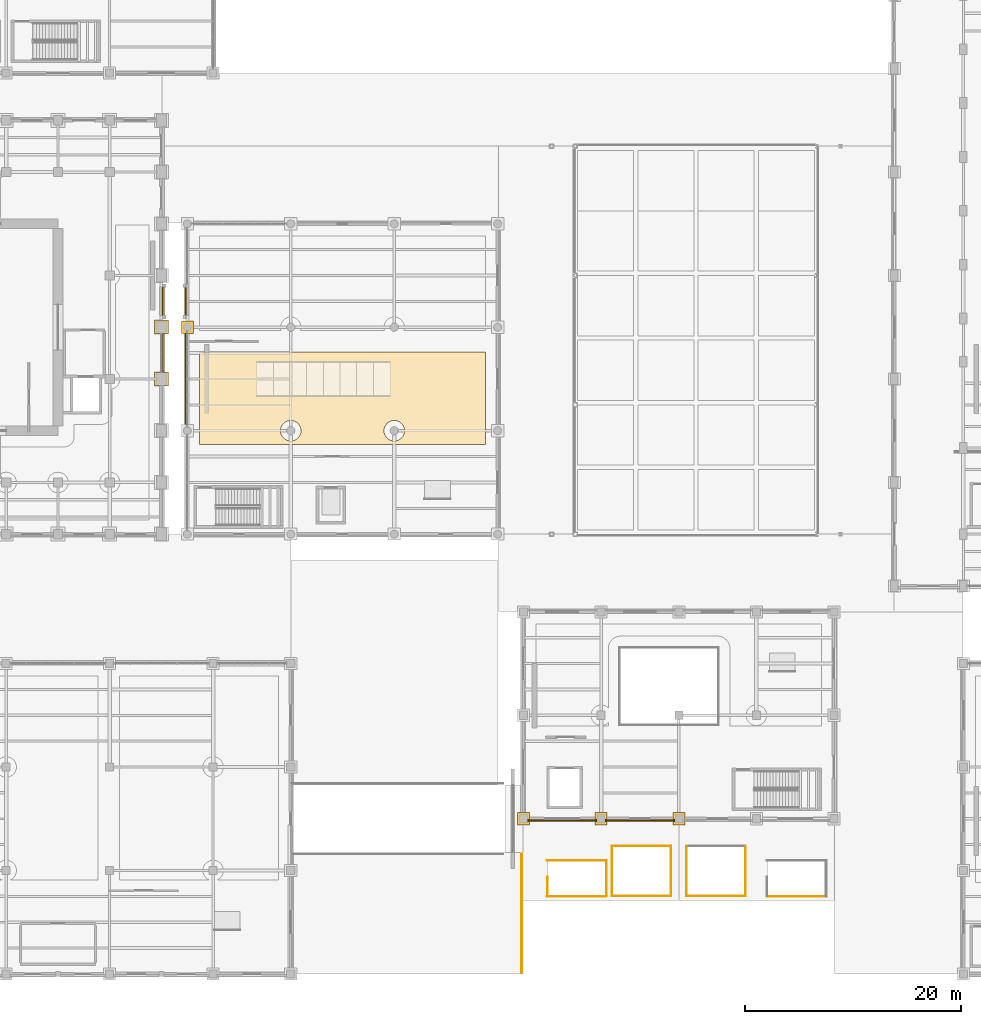
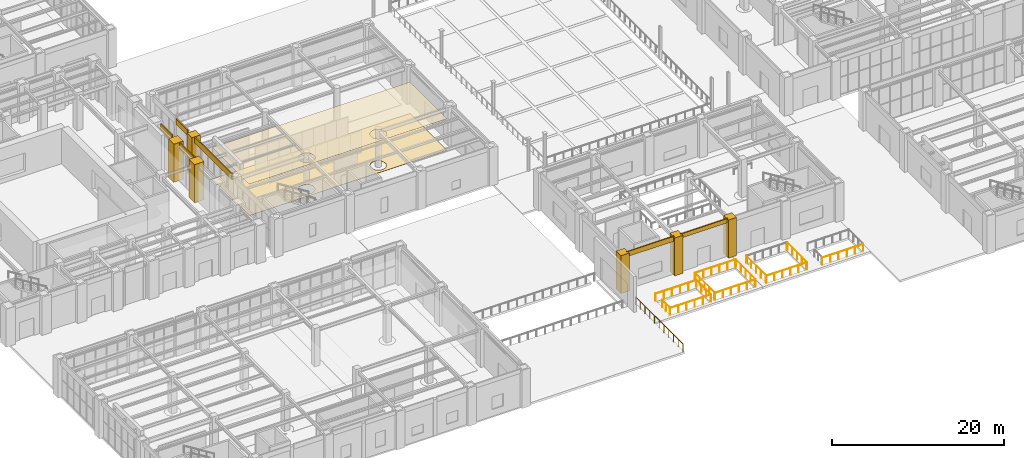
# One storey, part 146 of 164: 14 coverings, 13 railings.
"""IFC4 building model written with IfcOpenShell, lengths in metres."""

from ifc_helpers import new_model, si_unit, direction, frame, origin, origin_2d, place, context, subcontext, project, spatial, polyline, circle, outline, extrude, material, layer, layer_set, type_object, element, save


model = new_model("IFC4")

# Units and contexts
model_context = context("Model", 3, precision=1e-05, world=origin(), true_north=direction((0.0, 1.0)))
body_context = subcontext(model_context, "Body", "Model", "MODEL_VIEW")
ifc_project = project(units=[si_unit("LENGTHUNIT", "METRE"), si_unit("AREAUNIT", "SQUARE_METRE"), si_unit("VOLUMEUNIT", "CUBIC_METRE"), si_unit("PLANEANGLEUNIT", "RADIAN"), si_unit("MASSUNIT", "GRAM", prefix="KILO")], contexts=[model_context])

# Site, building, storey
site_placement = place(None, origin())
site = spatial("IfcSite", under=ifc_project, at=site_placement, CompositionType="ELEMENT")
building_placement = place(site_placement, origin())
building = spatial("IfcBuilding", under=site, at=building_placement, Name="Mavantir Sound Aquarium", CompositionType="ELEMENT")
storey_placement = place(building_placement, origin())
storey = spatial("IfcBuildingStorey", under=building, at=storey_placement, Name="L00", CompositionType="ELEMENT", Elevation=0.0)

# Coverings
ifc_material_1 = material(Name="Moisture-Resistant Acoustic Mineral Fibre Tile")
ifc_layer_1 = layer(ifc_material_1, 0.02490234375, Name="Moisture-Resistant Acoustic Mineral Fibre Tile")
ifc_layer_set_1 = layer_set([ifc_layer_1], Name="Moisture-Resistant Acoustic Mineral Fibre Tile")
covering_type_1 = type_object("IfcCoveringType", Name="COV-CEIL-AC", PredefinedType="CEILING", material=ifc_layer_set_1)
covering_1_placement = place(storey_placement, frame((0.0, 0.0, 4.458984375)))
element("IfcCovering", 1, at=covering_1_placement, inside=storey, type_object=covering_type_1, Name="L00 Walkthrough Cast-Acrylic Viewing Tunnel Hall suspended acoustic ceiling", PredefinedType="CEILING", context=body_context, shape_type="SweptSolid", body=[
    extrude(outline(polyline([(37.139892578125, 49.10009765625), (37.139892578125, 57.699951171875), (63.659912109375, 57.699951171875), (63.659912109375, 49.10009765625), (37.139892578125, 49.10009765625)]), holes=[polyline([(46.33447265625, 49.79736328125), (46.389892578125, 49.872314453125), (46.437744140625, 49.9521484375), (46.477783203125, 50.03662109375), (46.509033203125, 50.124267578125), (46.53173828125, 50.214599609375), (46.54541015625, 50.306884765625), (46.550048828125, 50.39990234375), (46.54541015625, 50.4931640625), (46.53173828125, 50.585205078125), (46.509033203125, 50.67578125), (46.477783203125, 50.763427734375), (46.437744140625, 50.847900390625), (46.389892578125, 50.927734375), (46.33447265625, 51.002685546875), (46.271728515625, 51.07177734375), (46.20263671875, 51.134521484375), (46.127685546875, 51.18994140625), (46.0478515625, 51.23779296875), (45.96337890625, 51.277587890625), (45.875732421875, 51.30908203125), (45.785400390625, 51.331787109375), (45.693115234375, 51.345458984375), (45.60009765625, 51.35009765625), (45.5068359375, 51.345458984375), (45.414794921875, 51.331787109375), (45.32421875, 51.30908203125), (45.236572265625, 51.277587890625), (45.152099609375, 51.23779296875), (45.072265625, 51.18994140625), (44.997314453125, 51.134521484375), (44.92822265625, 51.07177734375), (44.865478515625, 51.002685546875), (44.81005859375, 50.927734375), (44.76220703125, 50.847900390625), (44.722412109375, 50.763427734375), (44.69091796875, 50.67578125), (44.668212890625, 50.585205078125), (44.654541015625, 50.4931640625), (44.64990234375, 50.39990234375), (44.654541015625, 50.306884765625), (44.668212890625, 50.214599609375), (44.69091796875, 50.124267578125), (44.722412109375, 50.03662109375), (44.76220703125, 49.9521484375), (44.81005859375, 49.872314453125), (44.865478515625, 49.79736328125), (44.92822265625, 49.728271484375), (44.997314453125, 49.66552734375), (45.072265625, 49.610107421875), (45.152099609375, 49.562255859375), (45.236572265625, 49.522216796875), (45.32421875, 49.490966796875), (45.414794921875, 49.46826171875), (45.5068359375, 49.45458984375), (45.60009765625, 49.449951171875), (45.693115234375, 49.45458984375), (45.785400390625, 49.46826171875), (45.875732421875, 49.490966796875), (45.96337890625, 49.522216796875), (46.0478515625, 49.562255859375), (46.127685546875, 49.610107421875), (46.20263671875, 49.66552734375), (46.271728515625, 49.728271484375), (46.33447265625, 49.79736328125)]), polyline([(55.934326171875, 49.79736328125), (55.989990234375, 49.872314453125), (56.037841796875, 49.9521484375), (56.07763671875, 50.03662109375), (56.109130859375, 50.124267578125), (56.131591796875, 50.214599609375), (56.1455078125, 50.306884765625), (56.14990234375, 50.39990234375), (56.1455078125, 50.4931640625), (56.131591796875, 50.585205078125), (56.109130859375, 50.67578125), (56.07763671875, 50.763427734375), (56.037841796875, 50.847900390625), (55.989990234375, 50.927734375), (55.934326171875, 51.002685546875), (55.871826171875, 51.07177734375), (55.802734375, 51.134521484375), (55.727783203125, 51.18994140625), (55.647705078125, 51.23779296875), (55.5634765625, 51.277587890625), (55.475830078125, 51.30908203125), (55.38525390625, 51.331787109375), (55.293212890625, 51.345458984375), (55.199951171875, 51.35009765625), (55.10693359375, 51.345458984375), (55.0146484375, 51.331787109375), (54.92431640625, 51.30908203125), (54.83642578125, 51.277587890625), (54.752197265625, 51.23779296875), (54.672119140625, 51.18994140625), (54.597412109375, 51.134521484375), (54.5283203125, 51.07177734375), (54.465576171875, 51.002685546875), (54.41015625, 50.927734375), (54.3623046875, 50.847900390625), (54.322265625, 50.763427734375), (54.291015625, 50.67578125), (54.268310546875, 50.585205078125), (54.254638671875, 50.4931640625), (54.25, 50.39990234375), (54.254638671875, 50.306884765625), (54.268310546875, 50.214599609375), (54.291015625, 50.124267578125), (54.322265625, 50.03662109375), (54.3623046875, 49.9521484375), (54.41015625, 49.872314453125), (54.465576171875, 49.79736328125), (54.5283203125, 49.728271484375), (54.597412109375, 49.66552734375), (54.672119140625, 49.610107421875), (54.752197265625, 49.562255859375), (54.83642578125, 49.522216796875), (54.92431640625, 49.490966796875), (55.0146484375, 49.46826171875), (55.10693359375, 49.45458984375), (55.199951171875, 49.449951171875), (55.293212890625, 49.45458984375), (55.38525390625, 49.46826171875), (55.475830078125, 49.490966796875), (55.5634765625, 49.522216796875), (55.647705078125, 49.562255859375), (55.727783203125, 49.610107421875), (55.802734375, 49.66552734375), (55.871826171875, 49.728271484375), (55.934326171875, 49.79736328125)])]), origin(), (0.0, 0.0, 1.0), 0.02490234375),
])
ifc_material_2 = material(Name="Honed Coral-Limestone & Glazed Terracotta Rainscreen Cladding", Category="masonry")
ifc_layer_2 = layer(ifc_material_2, 0.06005859375, Name="Honed Coral-Limestone & Glazed Terracotta Rainscreen Cladding")
ifc_layer_set_2 = layer_set([ifc_layer_2], Name="Honed Coral-Limestone & Glazed Terracotta Rainscreen Cladding")
covering_type_2 = type_object("IfcCoveringType", Name="COV-CLAD-TC", PredefinedType="CLADDING", material=ifc_layer_set_2)
covering_2_placement = place(storey_placement, frame((0.0, 0.0, 4.60791015625)))
element("IfcCovering", 2, at=covering_2_placement, inside=storey, type_object=covering_type_2, Name="L00 Postmodern coral-limestone spandrel frieze 4", PredefinedType="CLADDING", context=body_context, shape_type="SweptSolid", body=[
    extrude(outline(polyline([(33.68994140625, 55.80810546875), (33.68994140625, 59.39208984375), (33.840087890625, 59.39208984375), (33.840087890625, 55.80810546875), (33.68994140625, 55.80810546875)])), origin(), (0.0, 0.0, 1.0), 0.7919921875),
])
covering_3_placement = place(storey_placement, frame((0.0, 0.0, 4.571044921875)))
element("IfcCovering", 3, at=covering_3_placement, inside=storey, type_object=covering_type_2, Name="L00 Postmodern coral-limestone spandrel frieze 5", PredefinedType="CLADDING", context=body_context, shape_type="SweptSolid", body=[
    extrude(outline(polyline([(33.68994140625, 61.0830078125), (33.68994140625, 63.717041015625), (33.840087890625, 63.717041015625), (33.840087890625, 61.0830078125), (33.68994140625, 61.0830078125)])), origin(), (0.0, 0.0, 1.0), 0.828857421875),
])
covering_4_placement = place(storey_placement, frame((0.0, 0.0, 4.571044921875)))
element("IfcCovering", 4, at=covering_4_placement, inside=storey, type_object=covering_type_2, Name="L00 Postmodern coral-limestone spandrel frieze 38", PredefinedType="CLADDING", context=body_context, shape_type="SweptSolid", body=[
    extrude(outline(polyline([(35.909912109375, 63.717041015625), (35.909912109375, 61.0830078125), (35.760009765625, 61.0830078125), (35.760009765625, 63.717041015625), (35.909912109375, 63.717041015625)])), origin(), (0.0, 0.0, 1.0), 0.828857421875),
])
covering_5_placement = place(storey_placement, frame((0.0, 0.0, 4.59912109375)))
element("IfcCovering", 5, at=covering_5_placement, inside=storey, type_object=covering_type_2, Name="L00 Postmodern coral-limestone spandrel frieze 39", PredefinedType="CLADDING", context=body_context, shape_type="SweptSolid", body=[
    extrude(outline(polyline([(35.909912109375, 59.616943359375), (35.909912109375, 50.782958984375), (35.760009765625, 50.782958984375), (35.760009765625, 59.616943359375), (35.909912109375, 59.616943359375)])), origin(), (0.0, 0.0, 1.0), 0.80078125),
])
covering_6_placement = place(storey_placement, frame((0.0, 0.0, 4.7080078125)))
element("IfcCovering", 6, at=covering_6_placement, inside=storey, type_object=covering_type_2, Name="L00 Postmodern coral-limestone spandrel frieze 151", PredefinedType="CLADDING", context=body_context, shape_type="SweptSolid", body=[
    extrude(outline(polyline([(67.5830078125, 14.31005859375), (74.01708984375, 14.31005859375), (74.01708984375, 14.159912109375), (67.5830078125, 14.159912109375), (67.5830078125, 14.31005859375)])), origin(), (0.0, 0.0, 1.0), 0.69189453125),
])
covering_7_placement = place(storey_placement, frame((0.0, 0.0, 4.81298828125)))
element("IfcCovering", 7, at=covering_7_placement, inside=storey, type_object=covering_type_2, Name="L00 Postmodern coral-limestone spandrel frieze 152", PredefinedType="CLADDING", context=body_context, shape_type="SweptSolid", body=[
    extrude(outline(polyline([(74.782958984375, 14.31005859375), (81.217041015625, 14.31005859375), (81.217041015625, 14.159912109375), (74.782958984375, 14.159912109375), (74.782958984375, 14.31005859375)])), origin(), (0.0, 0.0, 1.0), 0.5869140625),
])
covering_8_placement = place(storey_placement, origin())
element("IfcCovering", 8, at=covering_8_placement, inside=storey, type_object=covering_type_2, Name="L00 Postmodern coral-limestone pilaster casing 97", PredefinedType="CLADDING", context=body_context, shape_type="SweptSolid", body=[
    extrude(outline(polyline([(32.949951171875, 54.550048828125), (34.25, 54.550048828125), (34.25, 55.85009765625), (32.949951171875, 55.85009765625), (32.949951171875, 54.550048828125)])), origin(), (0.0, 0.0, 1.0), 5.39990234375),
])
covering_9_placement = place(storey_placement, origin())
element("IfcCovering", 9, at=covering_9_placement, inside=storey, type_object=covering_type_2, Name="L00 Postmodern coral-limestone pilaster casing 101", PredefinedType="CLADDING", context=body_context, shape_type="SweptSolid", body=[
    extrude(outline(polyline([(32.949951171875, 59.35009765625), (34.25, 59.35009765625), (34.25, 60.64990234375), (32.949951171875, 60.64990234375), (32.949951171875, 59.35009765625)])), origin(), (0.0, 0.0, 1.0), 5.39990234375),
])
covering_10_placement = place(storey_placement, origin())
element("IfcCovering", 10, at=covering_10_placement, inside=storey, type_object=covering_type_2, Name="L00 Postmodern coral-limestone pilaster casing 129", PredefinedType="CLADDING", context=body_context, shape_type="SweptSolid", body=[
    extrude(outline(polyline([(35.43994140625, 59.43994140625), (36.56005859375, 59.43994140625), (36.56005859375, 60.56005859375), (35.43994140625, 60.56005859375), (35.43994140625, 59.43994140625)])), origin(), (0.0, 0.0, 1.0), 5.39990234375),
])
covering_11_placement = place(storey_placement, origin())
element("IfcCovering", 11, at=covering_11_placement, inside=storey, type_object=covering_type_2, Name="L00 Postmodern coral-limestone pilaster casing 467", PredefinedType="CLADDING", context=body_context, shape_type="SweptSolid", body=[
    extrude(outline(polyline([(66.639892578125, 13.840087890625), (67.760009765625, 13.840087890625), (67.760009765625, 14.9599609375), (66.639892578125, 14.9599609375), (66.639892578125, 13.840087890625)])), origin(), (0.0, 0.0, 1.0), 5.39990234375),
])
covering_12_placement = place(storey_placement, origin())
element("IfcCovering", 12, at=covering_12_placement, inside=storey, type_object=covering_type_2, Name="L00 Postmodern coral-limestone pilaster casing 473", PredefinedType="CLADDING", context=body_context, shape_type="SweptSolid", body=[
    extrude(outline(polyline([(73.840087890625, 13.840087890625), (74.9599609375, 13.840087890625), (74.9599609375, 14.9599609375), (73.840087890625, 14.9599609375), (73.840087890625, 13.840087890625)])), origin(), (0.0, 0.0, 1.0), 5.39990234375),
])
covering_13_placement = place(storey_placement, origin())
element("IfcCovering", 13, at=covering_13_placement, inside=storey, type_object=covering_type_2, Name="L00 Postmodern coral-limestone pilaster casing 477", PredefinedType="CLADDING", context=body_context, shape_type="SweptSolid", body=[
    extrude(outline(polyline([(81.0400390625, 13.840087890625), (82.159912109375, 13.840087890625), (82.159912109375, 14.9599609375), (81.0400390625, 14.9599609375), (81.0400390625, 13.840087890625)])), origin(), (0.0, 0.0, 1.0), 5.39990234375),
])
ifc_material_3 = material(Name="Marine Epoxy Recycled-Shell Terrazzo Flooring")
ifc_layer_3 = layer(ifc_material_3, 0.030029296875, Name="Marine Epoxy Recycled-Shell Terrazzo Flooring")
ifc_layer_set_3 = layer_set([ifc_layer_3], Name="Marine Epoxy Recycled-Shell Terrazzo Flooring")
covering_type_3 = type_object("IfcCoveringType", Name="COV-FLR-TZ", PredefinedType="FLOORING", material=ifc_layer_set_3)
covering_14_placement = place(storey_placement, origin())
element("IfcCovering", 14, at=covering_14_placement, inside=storey, type_object=covering_type_3, Name="L00 Walkthrough Cast-Acrylic Viewing Tunnel Hall terrazzo flooring", PredefinedType="FLOORING", context=body_context, shape_type="SweptSolid", body=[
    extrude(outline(polyline([(37.139892578125, 49.10009765625), (37.139892578125, 57.699951171875), (63.659912109375, 57.699951171875), (63.659912109375, 49.10009765625), (37.139892578125, 49.10009765625)]), holes=[polyline([(46.33447265625, 49.79736328125), (46.389892578125, 49.872314453125), (46.437744140625, 49.9521484375), (46.477783203125, 50.03662109375), (46.509033203125, 50.124267578125), (46.53173828125, 50.214599609375), (46.54541015625, 50.306884765625), (46.550048828125, 50.39990234375), (46.54541015625, 50.4931640625), (46.53173828125, 50.585205078125), (46.509033203125, 50.67578125), (46.477783203125, 50.763427734375), (46.437744140625, 50.847900390625), (46.389892578125, 50.927734375), (46.33447265625, 51.002685546875), (46.271728515625, 51.07177734375), (46.20263671875, 51.134521484375), (46.127685546875, 51.18994140625), (46.0478515625, 51.23779296875), (45.96337890625, 51.277587890625), (45.875732421875, 51.30908203125), (45.785400390625, 51.331787109375), (45.693115234375, 51.345458984375), (45.60009765625, 51.35009765625), (45.5068359375, 51.345458984375), (45.414794921875, 51.331787109375), (45.32421875, 51.30908203125), (45.236572265625, 51.277587890625), (45.152099609375, 51.23779296875), (45.072265625, 51.18994140625), (44.997314453125, 51.134521484375), (44.92822265625, 51.07177734375), (44.865478515625, 51.002685546875), (44.81005859375, 50.927734375), (44.76220703125, 50.847900390625), (44.722412109375, 50.763427734375), (44.69091796875, 50.67578125), (44.668212890625, 50.585205078125), (44.654541015625, 50.4931640625), (44.64990234375, 50.39990234375), (44.654541015625, 50.306884765625), (44.668212890625, 50.214599609375), (44.69091796875, 50.124267578125), (44.722412109375, 50.03662109375), (44.76220703125, 49.9521484375), (44.81005859375, 49.872314453125), (44.865478515625, 49.79736328125), (44.92822265625, 49.728271484375), (44.997314453125, 49.66552734375), (45.072265625, 49.610107421875), (45.152099609375, 49.562255859375), (45.236572265625, 49.522216796875), (45.32421875, 49.490966796875), (45.414794921875, 49.46826171875), (45.5068359375, 49.45458984375), (45.60009765625, 49.449951171875), (45.693115234375, 49.45458984375), (45.785400390625, 49.46826171875), (45.875732421875, 49.490966796875), (45.96337890625, 49.522216796875), (46.0478515625, 49.562255859375), (46.127685546875, 49.610107421875), (46.20263671875, 49.66552734375), (46.271728515625, 49.728271484375), (46.33447265625, 49.79736328125)]), polyline([(55.934326171875, 49.79736328125), (55.989990234375, 49.872314453125), (56.037841796875, 49.9521484375), (56.07763671875, 50.03662109375), (56.109130859375, 50.124267578125), (56.131591796875, 50.214599609375), (56.1455078125, 50.306884765625), (56.14990234375, 50.39990234375), (56.1455078125, 50.4931640625), (56.131591796875, 50.585205078125), (56.109130859375, 50.67578125), (56.07763671875, 50.763427734375), (56.037841796875, 50.847900390625), (55.989990234375, 50.927734375), (55.934326171875, 51.002685546875), (55.871826171875, 51.07177734375), (55.802734375, 51.134521484375), (55.727783203125, 51.18994140625), (55.647705078125, 51.23779296875), (55.5634765625, 51.277587890625), (55.475830078125, 51.30908203125), (55.38525390625, 51.331787109375), (55.293212890625, 51.345458984375), (55.199951171875, 51.35009765625), (55.10693359375, 51.345458984375), (55.0146484375, 51.331787109375), (54.92431640625, 51.30908203125), (54.83642578125, 51.277587890625), (54.752197265625, 51.23779296875), (54.672119140625, 51.18994140625), (54.597412109375, 51.134521484375), (54.5283203125, 51.07177734375), (54.465576171875, 51.002685546875), (54.41015625, 50.927734375), (54.3623046875, 50.847900390625), (54.322265625, 50.763427734375), (54.291015625, 50.67578125), (54.268310546875, 50.585205078125), (54.254638671875, 50.4931640625), (54.25, 50.39990234375), (54.254638671875, 50.306884765625), (54.268310546875, 50.214599609375), (54.291015625, 50.124267578125), (54.322265625, 50.03662109375), (54.3623046875, 49.9521484375), (54.41015625, 49.872314453125), (54.465576171875, 49.79736328125), (54.5283203125, 49.728271484375), (54.597412109375, 49.66552734375), (54.672119140625, 49.610107421875), (54.752197265625, 49.562255859375), (54.83642578125, 49.522216796875), (54.92431640625, 49.490966796875), (55.0146484375, 49.46826171875), (55.10693359375, 49.45458984375), (55.199951171875, 49.449951171875), (55.293212890625, 49.45458984375), (55.38525390625, 49.46826171875), (55.475830078125, 49.490966796875), (55.5634765625, 49.522216796875), (55.647705078125, 49.562255859375), (55.727783203125, 49.610107421875), (55.802734375, 49.66552734375), (55.871826171875, 49.728271484375), (55.934326171875, 49.79736328125)])]), origin(), (0.0, 0.0, 1.0), 0.030029296875),
])

# Railings
ifc_material_4 = material(Name="Stainless Steel 316 and Laminated Glass Guardrail", Category="steel")
railing_type = type_object("IfcRailingType", Name="RL-GUARD-110", PredefinedType="GUARDRAIL", material=ifc_material_4)
railing_1_placement = place(storey_placement, frame((67.030029296875, 0.1201171875, 0.0)))
element("IfcRailing", 15, at=railing_1_placement, inside=storey, type_object=railing_type, Name="L00 apron E guardrail 1", PredefinedType="GUARDRAIL", context=body_context, shape_type="SweptSolid", body=[
    extrude(circle(Radius=0.02392578125, at=origin_2d()), frame((0.0, 0.0, 1.076171875), z_axis=(0.0, 1.0, 0.0), x_axis=(-1.0, 0.0, 0.0)), (0.0, 0.0, 1.0), 11.009765625),
    extrude(circle(Radius=0.02099609375, at=origin_2d()), origin(), (0.0, 0.0, 1.0), 1.052001953125),
    extrude(circle(Radius=0.02099609375, at=origin_2d()), frame((0.0, 1.10107421875, 0.0)), (0.0, 0.0, 1.0), 1.052001953125),
    extrude(circle(Radius=0.02099609375, at=origin_2d()), frame((0.0, 2.201904296875, 0.0)), (0.0, 0.0, 1.0), 1.052001953125),
    extrude(circle(Radius=0.02099609375, at=origin_2d()), frame((0.0, 3.302978515625, 0.0)), (0.0, 0.0, 1.0), 1.052001953125),
    extrude(circle(Radius=0.02099609375, at=origin_2d()), frame((0.0, 4.40380859375, 0.0)), (0.0, 0.0, 1.0), 1.052001953125),
    extrude(circle(Radius=0.02099609375, at=origin_2d()), frame((0.0, 5.5048828125, 0.0)), (0.0, 0.0, 1.0), 1.052001953125),
    extrude(circle(Radius=0.02099609375, at=origin_2d()), frame((0.0, 6.60595703125, 0.0)), (0.0, 0.0, 1.0), 1.052001953125),
    extrude(circle(Radius=0.02099609375, at=origin_2d()), frame((0.0, 7.706787109375, 0.0)), (0.0, 0.0, 1.0), 1.052001953125),
    extrude(circle(Radius=0.02099609375, at=origin_2d()), frame((0.0, 8.807861328125, 0.0)), (0.0, 0.0, 1.0), 1.052001953125),
    extrude(circle(Radius=0.02099609375, at=origin_2d()), frame((0.0, 9.90869140625, 0.0)), (0.0, 0.0, 1.0), 1.052001953125),
    extrude(circle(Radius=0.02099609375, at=origin_2d()), frame((0.0, 11.009765625, 0.0)), (0.0, 0.0, 1.0), 1.052001953125),
])
railing_2_placement = place(storey_placement, frame((75.419921875, 7.219970703125, 0.0)))
element("IfcRailing", 16, at=railing_2_placement, inside=storey, type_object=railing_type, Name="Forecourt lightwell ST13 S guard", PredefinedType="GUARDRAIL", context=body_context, shape_type="SweptSolid", body=[
    extrude(circle(Radius=0.02392578125, at=origin_2d()), frame((0.0, 0.0, 1.076171875), z_axis=(1.0, 0.0, 0.0), x_axis=(0.0, 1.0, 0.0)), (0.0, 0.0, 1.0), 5.380126953125),
    extrude(circle(Radius=0.02099609375, at=origin_2d()), origin(), (0.0, 0.0, 1.0), 1.052001953125),
    extrude(circle(Radius=0.02099609375, at=origin_2d()), frame((1.075927734375, 0.0, 0.0)), (0.0, 0.0, 1.0), 1.052001953125),
    extrude(circle(Radius=0.02099609375, at=origin_2d()), frame((2.152099609375, 0.0, 0.0)), (0.0, 0.0, 1.0), 1.052001953125),
    extrude(circle(Radius=0.02099609375, at=origin_2d()), frame((3.22802734375, 0.0, 0.0)), (0.0, 0.0, 1.0), 1.052001953125),
    extrude(circle(Radius=0.02099609375, at=origin_2d()), frame((4.30419921875, 0.0, 0.0)), (0.0, 0.0, 1.0), 1.052001953125),
    extrude(circle(Radius=0.02099609375, at=origin_2d()), frame((5.380126953125, 0.0, 0.0)), (0.0, 0.0, 1.0), 1.052001953125),
])
railing_3_placement = place(storey_placement, frame((80.8798828125, 7.219970703125, 0.0)))
element("IfcRailing", 17, at=railing_3_placement, inside=storey, type_object=railing_type, Name="Forecourt lightwell ST13 E guard", PredefinedType="GUARDRAIL", context=body_context, shape_type="SweptSolid", body=[
    extrude(circle(Radius=0.02392578125, at=origin_2d()), frame((0.0, 0.0, 1.076171875), z_axis=(0.0, 1.0, 0.0), x_axis=(-1.0, 0.0, 0.0)), (0.0, 0.0, 1.0), 4.580078125),
    extrude(circle(Radius=0.02099609375, at=origin_2d()), origin(), (0.0, 0.0, 1.0), 1.052001953125),
    extrude(circle(Radius=0.02099609375, at=origin_2d()), frame((0.0, 1.14501953125, 0.0)), (0.0, 0.0, 1.0), 1.052001953125),
    extrude(circle(Radius=0.02099609375, at=origin_2d()), frame((0.0, 2.2900390625, 0.0)), (0.0, 0.0, 1.0), 1.052001953125),
    extrude(circle(Radius=0.02099609375, at=origin_2d()), frame((0.0, 3.43505859375, 0.0)), (0.0, 0.0, 1.0), 1.052001953125),
    extrude(circle(Radius=0.02099609375, at=origin_2d()), frame((0.0, 4.580078125, 0.0)), (0.0, 0.0, 1.0), 1.052001953125),
])
railing_4_placement = place(storey_placement, frame((80.8798828125, 11.8798828125, 0.0)))
element("IfcRailing", 18, at=railing_4_placement, inside=storey, type_object=railing_type, Name="Forecourt lightwell ST13 N guard", PredefinedType="GUARDRAIL", context=body_context, shape_type="SweptSolid", body=[
    extrude(circle(Radius=0.02392578125, at=origin_2d()), frame((0.0, 0.0, 1.076171875), z_axis=(-1.0, 0.0, 0.0), x_axis=(0.0, -1.0, 0.0)), (0.0, 0.0, 1.0), 5.3798828125),
    extrude(circle(Radius=0.02099609375, at=origin_2d()), origin(), (0.0, 0.0, 1.0), 1.052001953125),
    extrude(circle(Radius=0.02099609375, at=origin_2d()), frame((-1.075927734375, 0.0, 0.0)), (0.0, 0.0, 1.0), 1.052001953125),
    extrude(circle(Radius=0.02099609375, at=origin_2d()), frame((-2.15185546875, 0.0, 0.0)), (0.0, 0.0, 1.0), 1.052001953125),
    extrude(circle(Radius=0.02099609375, at=origin_2d()), frame((-3.22802734375, 0.0, 0.0)), (0.0, 0.0, 1.0), 1.052001953125),
    extrude(circle(Radius=0.02099609375, at=origin_2d()), frame((-4.303955078125, 0.0, 0.0)), (0.0, 0.0, 1.0), 1.052001953125),
    extrude(circle(Radius=0.02099609375, at=origin_2d()), frame((-5.3798828125, 0.0, 0.0)), (0.0, 0.0, 1.0), 1.052001953125),
])
railing_5_placement = place(storey_placement, frame((75.419921875, 11.8798828125, 0.0)))
element("IfcRailing", 19, at=railing_5_placement, inside=storey, type_object=railing_type, Name="Forecourt lightwell ST13 W guard", PredefinedType="GUARDRAIL", context=body_context, shape_type="SweptSolid", body=[
    extrude(circle(Radius=0.02392578125, at=origin_2d()), frame((0.0, 0.0, 1.076171875), z_axis=(0.0, -1.0, 0.0), x_axis=(1.0, 0.0, 0.0)), (0.0, 0.0, 1.0), 4.579833984375),
    extrude(circle(Radius=0.02099609375, at=origin_2d()), origin(), (0.0, 0.0, 1.0), 1.052001953125),
    extrude(circle(Radius=0.02099609375, at=origin_2d()), frame((0.0, -1.14501953125, 0.0)), (0.0, 0.0, 1.0), 1.052001953125),
    extrude(circle(Radius=0.02099609375, at=origin_2d()), frame((0.0, -2.2900390625, 0.0)), (0.0, 0.0, 1.0), 1.052001953125),
    extrude(circle(Radius=0.02099609375, at=origin_2d()), frame((0.0, -3.434814453125, 0.0)), (0.0, 0.0, 1.0), 1.052001953125),
    extrude(circle(Radius=0.02099609375, at=origin_2d()), frame((0.0, -4.579833984375, 0.0)), (0.0, 0.0, 1.0), 1.052001953125),
])
railing_6_placement = place(storey_placement, frame((69.39990234375, 7.25, 0.0)))
element("IfcRailing", 20, at=railing_6_placement, inside=storey, type_object=railing_type, Name="L00 ST13 top well guard 1", PredefinedType="GUARDRAIL", context=body_context, shape_type="SweptSolid", body=[
    extrude(circle(Radius=0.02392578125, at=origin_2d()), frame((0.0, 0.0, 1.076171875), z_axis=(0.0, 1.0, 0.0), x_axis=(-1.0, 0.0, 0.0)), (0.0, 0.0, 1.0), 1.75),
    extrude(circle(Radius=0.02099609375, at=origin_2d()), origin(), (0.0, 0.0, 1.0), 1.052001953125),
    extrude(circle(Radius=0.02099609375, at=origin_2d()), frame((0.0, 0.875, 0.0)), (0.0, 0.0, 1.0), 1.052001953125),
    extrude(circle(Radius=0.02099609375, at=origin_2d()), frame((0.0, 1.75, 0.0)), (0.0, 0.0, 1.0), 1.052001953125),
])
for number, where, name in (
    (21, (69.3798828125, 7.169921875, 0.0), "Forecourt stair ST13 WLS guardrail"),
    (22, (69.3798828125, 10.530029296875, 0.0), "Forecourt stair ST13 WLN guardrail"),
):
    element("IfcRailing", number, at=place(storey_placement, frame(where)), inside=storey, type_object=railing_type, Name=name, PredefinedType="GUARDRAIL", context=body_context, shape_type="SweptSolid", body=[
        extrude(circle(Radius=0.02392578125, at=origin_2d()), frame((0.0, 0.0, 1.076171875), z_axis=(1.0, 0.0, 0.0), x_axis=(0.0, 1.0, 0.0)), (0.0, 0.0, 1.0), 5.5),
        extrude(circle(Radius=0.02099609375, at=origin_2d()), origin(), (0.0, 0.0, 1.0), 1.052001953125),
        extrude(circle(Radius=0.02099609375, at=origin_2d()), frame((1.10009765625, 0.0, 0.0)), (0.0, 0.0, 1.0), 1.052001953125),
        extrude(circle(Radius=0.02099609375, at=origin_2d()), frame((2.199951171875, 0.0, 0.0)), (0.0, 0.0, 1.0), 1.052001953125),
        extrude(circle(Radius=0.02099609375, at=origin_2d()), frame((3.300048828125, 0.0, 0.0)), (0.0, 0.0, 1.0), 1.052001953125),
        extrude(circle(Radius=0.02099609375, at=origin_2d()), frame((4.39990234375, 0.0, 0.0)), (0.0, 0.0, 1.0), 1.052001953125),
        extrude(circle(Radius=0.02099609375, at=origin_2d()), frame((5.5, 0.0, 0.0)), (0.0, 0.0, 1.0), 1.052001953125),
    ])
railing_7_placement = place(storey_placement, frame((74.8798828125, 7.169921875, 0.0)))
element("IfcRailing", 23, at=railing_7_placement, inside=storey, type_object=railing_type, Name="Forecourt stair ST13 WLE guardrail", PredefinedType="GUARDRAIL", context=body_context, shape_type="SweptSolid", body=[
    extrude(circle(Radius=0.02392578125, at=origin_2d()), frame((0.0, 0.0, 1.076171875), z_axis=(0.0, 1.0, 0.0), x_axis=(-1.0, 0.0, 0.0)), (0.0, 0.0, 1.0), 3.360107421875),
    extrude(circle(Radius=0.02099609375, at=origin_2d()), origin(), (0.0, 0.0, 1.0), 1.052001953125),
    extrude(circle(Radius=0.02099609375, at=origin_2d()), frame((0.0, 1.1201171875, 0.0)), (0.0, 0.0, 1.0), 1.052001953125),
    extrude(circle(Radius=0.02099609375, at=origin_2d()), frame((0.0, 2.239990234375, 0.0)), (0.0, 0.0, 1.0), 1.052001953125),
    extrude(circle(Radius=0.02099609375, at=origin_2d()), frame((0.0, 3.360107421875, 0.0)), (0.0, 0.0, 1.0), 1.052001953125),
])
railing_8_placement = place(storey_placement, frame((82.320068359375, 7.219970703125, 0.0)))
element("IfcRailing", 24, at=railing_8_placement, inside=storey, type_object=railing_type, Name="Forecourt lightwell ST14 S guard", PredefinedType="GUARDRAIL", context=body_context, shape_type="SweptSolid", body=[
    extrude(circle(Radius=0.02392578125, at=origin_2d()), frame((0.0, 0.0, 1.076171875), z_axis=(1.0, 0.0, 0.0), x_axis=(0.0, 1.0, 0.0)), (0.0, 0.0, 1.0), 5.3798828125),
    extrude(circle(Radius=0.02099609375, at=origin_2d()), origin(), (0.0, 0.0, 1.0), 1.052001953125),
    extrude(circle(Radius=0.02099609375, at=origin_2d()), frame((1.075927734375, 0.0, 0.0)), (0.0, 0.0, 1.0), 1.052001953125),
    extrude(circle(Radius=0.02099609375, at=origin_2d()), frame((2.15185546875, 0.0, 0.0)), (0.0, 0.0, 1.0), 1.052001953125),
    extrude(circle(Radius=0.02099609375, at=origin_2d()), frame((3.22802734375, 0.0, 0.0)), (0.0, 0.0, 1.0), 1.052001953125),
    extrude(circle(Radius=0.02099609375, at=origin_2d()), frame((4.303955078125, 0.0, 0.0)), (0.0, 0.0, 1.0), 1.052001953125),
    extrude(circle(Radius=0.02099609375, at=origin_2d()), frame((5.3798828125, 0.0, 0.0)), (0.0, 0.0, 1.0), 1.052001953125),
])
railing_9_placement = place(storey_placement, frame((87.780029296875, 7.219970703125, 0.0)))
element("IfcRailing", 25, at=railing_9_placement, inside=storey, type_object=railing_type, Name="Forecourt lightwell ST14 E guard", PredefinedType="GUARDRAIL", context=body_context, shape_type="SweptSolid", body=[
    extrude(circle(Radius=0.02392578125, at=origin_2d()), frame((0.0, 0.0, 1.076171875), z_axis=(0.0, 1.0, 0.0), x_axis=(-1.0, 0.0, 0.0)), (0.0, 0.0, 1.0), 4.580078125),
    extrude(circle(Radius=0.02099609375, at=origin_2d()), origin(), (0.0, 0.0, 1.0), 1.052001953125),
    extrude(circle(Radius=0.02099609375, at=origin_2d()), frame((0.0, 1.14501953125, 0.0)), (0.0, 0.0, 1.0), 1.052001953125),
    extrude(circle(Radius=0.02099609375, at=origin_2d()), frame((0.0, 2.2900390625, 0.0)), (0.0, 0.0, 1.0), 1.052001953125),
    extrude(circle(Radius=0.02099609375, at=origin_2d()), frame((0.0, 3.43505859375, 0.0)), (0.0, 0.0, 1.0), 1.052001953125),
    extrude(circle(Radius=0.02099609375, at=origin_2d()), frame((0.0, 4.580078125, 0.0)), (0.0, 0.0, 1.0), 1.052001953125),
])
railing_10_placement = place(storey_placement, frame((82.320068359375, 11.8798828125, 0.0)))
element("IfcRailing", 26, at=railing_10_placement, inside=storey, type_object=railing_type, Name="Forecourt lightwell ST14 W guard", PredefinedType="GUARDRAIL", context=body_context, shape_type="SweptSolid", body=[
    extrude(circle(Radius=0.02392578125, at=origin_2d()), frame((0.0, 0.0, 1.076171875), z_axis=(0.0, -1.0, 0.0), x_axis=(1.0, 0.0, 0.0)), (0.0, 0.0, 1.0), 4.579833984375),
    extrude(circle(Radius=0.02099609375, at=origin_2d()), origin(), (0.0, 0.0, 1.0), 1.052001953125),
    extrude(circle(Radius=0.02099609375, at=origin_2d()), frame((0.0, -1.14501953125, 0.0)), (0.0, 0.0, 1.0), 1.052001953125),
    extrude(circle(Radius=0.02099609375, at=origin_2d()), frame((0.0, -2.2900390625, 0.0)), (0.0, 0.0, 1.0), 1.052001953125),
    extrude(circle(Radius=0.02099609375, at=origin_2d()), frame((0.0, -3.434814453125, 0.0)), (0.0, 0.0, 1.0), 1.052001953125),
    extrude(circle(Radius=0.02099609375, at=origin_2d()), frame((0.0, -4.579833984375, 0.0)), (0.0, 0.0, 1.0), 1.052001953125),
])
railing_11_placement = place(storey_placement, frame((89.780029296875, 7.169921875, 0.0)))
element("IfcRailing", 27, at=railing_11_placement, inside=storey, type_object=railing_type, Name="Forecourt stair ST14 WLS guardrail", PredefinedType="GUARDRAIL", context=body_context, shape_type="SweptSolid", body=[
    extrude(circle(Radius=0.02392578125, at=origin_2d()), frame((0.0, 0.0, 1.076171875), z_axis=(1.0, 0.0, 0.0), x_axis=(0.0, 1.0, 0.0)), (0.0, 0.0, 1.0), 5.5),
    extrude(circle(Radius=0.02099609375, at=origin_2d()), origin(), (0.0, 0.0, 1.0), 1.052001953125),
    extrude(circle(Radius=0.02099609375, at=origin_2d()), frame((1.10009765625, 0.0, 0.0)), (0.0, 0.0, 1.0), 1.052001953125),
    extrude(circle(Radius=0.02099609375, at=origin_2d()), frame((2.199951171875, 0.0, 0.0)), (0.0, 0.0, 1.0), 1.052001953125),
    extrude(circle(Radius=0.02099609375, at=origin_2d()), frame((3.300048828125, 0.0, 0.0)), (0.0, 0.0, 1.0), 1.052001953125),
    extrude(circle(Radius=0.02099609375, at=origin_2d()), frame((4.39990234375, 0.0, 0.0)), (0.0, 0.0, 1.0), 1.052001953125),
    extrude(circle(Radius=0.02099609375, at=origin_2d()), frame((5.5, 0.0, 0.0)), (0.0, 0.0, 1.0), 1.052001953125),
])

save(model, "model.ifc")
